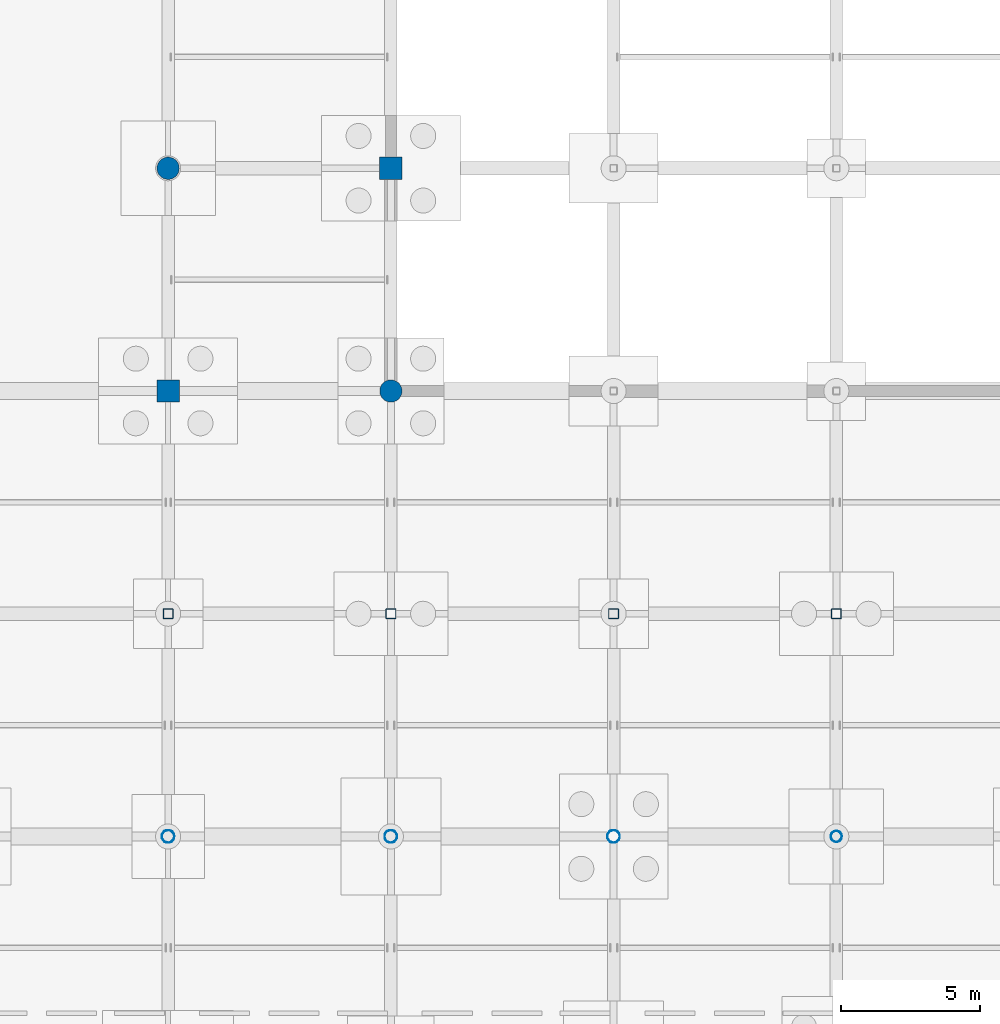
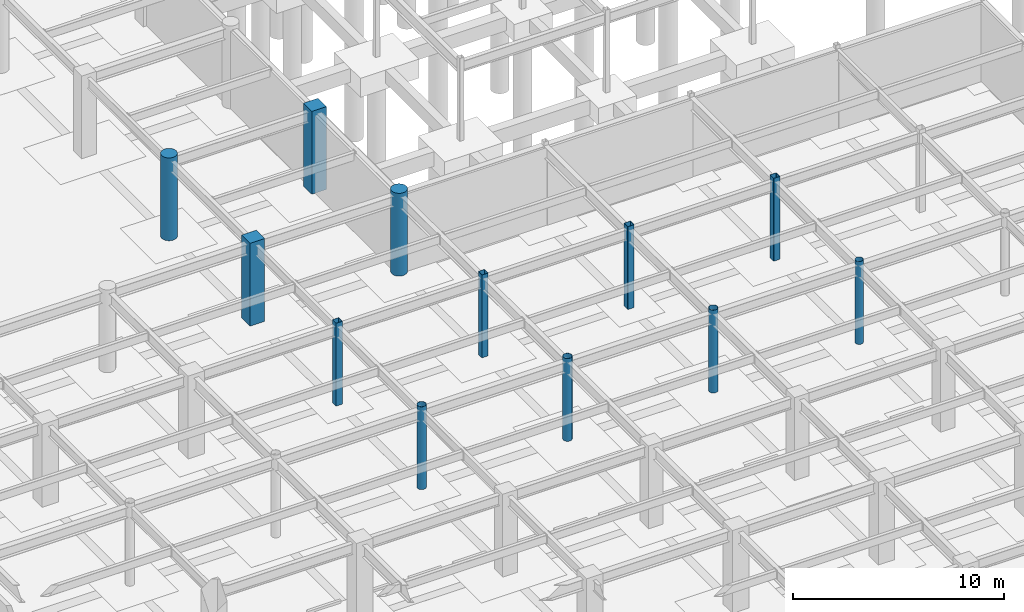
# One storey, part 23 of 105: 12 columns.
"""IFC4 building model written with IfcOpenShell, lengths in metres."""

from ifc_helpers import new_model, si_unit, direction, frame, origin, origin_2d, place, context, subcontext, project, spatial, rectangle, hollow_rectangle, circle, hollow_circle, extrude, material, material_profile, profile_set, type_object, element, save


model = new_model("IFC4")

# Units and contexts
model_context = context("Model", 3, precision=1e-05, world=origin(), true_north=direction((0.0, 1.0)))
body_context = subcontext(model_context, "Body", "Model", "MODEL_VIEW")
ifc_project = project(units=[si_unit("LENGTHUNIT", "METRE"), si_unit("AREAUNIT", "SQUARE_METRE"), si_unit("VOLUMEUNIT", "CUBIC_METRE"), si_unit("PLANEANGLEUNIT", "RADIAN"), si_unit("MASSUNIT", "GRAM", prefix="KILO")], contexts=[model_context])

# Site, building, storey
site_placement = place(None, origin())
site = spatial("IfcSite", under=ifc_project, at=site_placement, CompositionType="ELEMENT")
building_placement = place(site_placement, origin())
building = spatial("IfcBuilding", under=site, at=building_placement, Name="Solmirada Galleria", CompositionType="ELEMENT")
storey_placement = place(building_placement, frame((0.0, 0.0, -4.800048828125)))
storey = spatial("IfcBuildingStorey", under=building, at=storey_placement, Name="B1", CompositionType="ELEMENT", Elevation=-4.800048828125)

# Columns
ifc_material_1 = material(Name="Steel S355 / ASTM A500 Grade C", Category="steel")
ifc_material_profile_1 = material_profile(ifc_material_1, hollow_circle(Radius=0.202880859375, WallThickness=0.01171875, at=origin_2d()), Name="HSS16.000X0.500")
ifc_profile_set_1 = profile_set([ifc_material_profile_1], Name="Steel S355 / ASTM A500 Grade C")
column_type_1 = type_object("IfcColumnType", Name="COL-CHS16", PredefinedType="COLUMN", material=ifc_profile_set_1)
column_placement = place(storey_placement, frame((128.0, 32.0, 0.0), z_axis=(0.0, 0.0, 1.0), x_axis=(1.0, 0.0, 0.0)))
element("IfcColumn", 1, at=column_placement, inside=storey, type_object=column_type_1, Name="Structural column B1-1034", PredefinedType="COLUMN", context=body_context, shape_type="SweptSolid", body=[
    extrude(hollow_circle(Radius=0.202880859375, WallThickness=0.01171875, at=origin_2d()), origin(), (0.0, 0.0, 1.0), 4.800048828125),
])
ifc_material_profile_2 = material_profile(ifc_material_1, hollow_circle(Radius=0.228515625, WallThickness=0.01171875, at=origin_2d()), Name="HSS18.000X0.500")
ifc_profile_set_2 = profile_set([ifc_material_profile_2], Name="Steel S355 / ASTM A500 Grade C")
column_type_2 = type_object("IfcColumnType", Name="COL-CHS18", PredefinedType="COLUMN", material=ifc_profile_set_2)
for number, where, z_axis, x_axis, name in (
    (2, (104.0, 32.0, 0.0), (0.0, 0.0, 1.0), (1.0, 0.0, 0.0), "Structural column B1-0723"),
    (3, (112.0, 32.0, 0.0), (0.0, 0.0, 1.0), (1.0, 0.0, 0.0), "Structural column B1-0834"),
    (4, (120.0, 32.0, 0.0), (0.0, 0.0, 1.0), (1.0, 0.0, 0.0), "Structural column B1-0951"),
):
    element("IfcColumn", number, at=place(storey_placement, frame(where, z_axis=z_axis, x_axis=x_axis)), inside=storey, type_object=column_type_2, Name=name, PredefinedType="COLUMN", context=body_context, shape_type="SweptSolid", body=[
        extrude(hollow_circle(Radius=0.228515625, WallThickness=0.01171875, at=origin_2d()), origin(), (0.0, 0.0, 1.0), 4.800048828125),
    ])
ifc_material_2 = material(Name="Concrete C40/50", Category="concrete")
ifc_material_profile_3 = material_profile(ifc_material_2, circle(Radius=0.39990234375, at=origin_2d()), Name="RCCOL800")
ifc_profile_set_3 = profile_set([ifc_material_profile_3], Name="Concrete C40/50")
column_type_3 = type_object("IfcColumnType", Name="COL-CIR800", PredefinedType="COLUMN", material=ifc_profile_set_3)
for number, where, z_axis, x_axis, name in (
    (5, (104.0, 56.0, 0.0), (0.0, 0.0, 1.0), (1.0, 0.0, 0.0), "Structural column B1-0742"),
    (6, (112.0, 48.0, 0.0), (0.0, 0.0, 1.0), (1.0, 0.0, 0.0), "Structural column B1-0845"),
):
    element("IfcColumn", number, at=place(storey_placement, frame(where, z_axis=z_axis, x_axis=x_axis)), inside=storey, type_object=column_type_3, Name=name, PredefinedType="COLUMN", context=body_context, shape_type="SweptSolid", body=[
        extrude(circle(Radius=0.39990234375, at=origin_2d()), origin(), (0.0, 0.0, 1.0), 4.800048828125),
    ])
ifc_material_profile_4 = material_profile(ifc_material_1, hollow_rectangle(XDim=0.35595703125, YDim=0.35595703125, WallThickness=0.01171875, InnerFilletRadius=0.01171875, OuterFilletRadius=0.023681640625, at=origin_2d()), Name="HSS14X14X1/2")
ifc_profile_set_4 = profile_set([ifc_material_profile_4], Name="Steel S355 / ASTM A500 Grade C")
column_type_4 = type_object("IfcColumnType", Name="COL-HSS14", PredefinedType="COLUMN", material=ifc_profile_set_4)
for number, where, z_axis, x_axis, name in (
    (7, (104.0, 40.0, 0.0), (0.0, 0.0, 1.0), (1.0, 0.0, 0.0), "Structural column B1-0729"),
    (8, (112.0, 40.0, 0.0), (0.0, 0.0, 1.0), (1.0, 0.0, 0.0), "Structural column B1-0841"),
    (9, (120.0, 40.0, 0.0), (0.0, 0.0, 1.0), (1.0, 0.0, 0.0), "Structural column B1-0958"),
    (10, (128.0, 40.0, 0.0), (0.0, 0.0, 1.0), (1.0, 0.0, 0.0), "Structural column B1-1041"),
):
    element("IfcColumn", number, at=place(storey_placement, frame(where, z_axis=z_axis, x_axis=x_axis)), inside=storey, type_object=column_type_4, Name=name, PredefinedType="COLUMN", context=body_context, shape_type="SweptSolid", body=[
        extrude(hollow_rectangle(XDim=0.35595703125, YDim=0.35595703125, WallThickness=0.01171875, InnerFilletRadius=0.01171875, OuterFilletRadius=0.023681640625, at=origin_2d()), origin(), (0.0, 0.0, 1.0), 4.800048828125),
    ])
ifc_material_profile_5 = material_profile(ifc_material_2, rectangle(XDim=0.800048828125, YDim=0.800048828125, at=origin_2d()), Name="RC800X800")
ifc_profile_set_5 = profile_set([ifc_material_profile_5], Name="Concrete C40/50")
column_type_5 = type_object("IfcColumnType", Name="COL-RC800", PredefinedType="COLUMN", material=ifc_profile_set_5)
for number, where, z_axis, x_axis, name in (
    (11, (104.0, 48.0, 0.0), (0.0, 0.0, 1.0), (1.0, 0.0, 0.0), "Structural column B1-0733"),
    (12, (112.0, 56.0, 0.0), (0.0, 0.0, 1.0), (1.0, 0.0, 0.0), "Structural column B1-0854"),
):
    element("IfcColumn", number, at=place(storey_placement, frame(where, z_axis=z_axis, x_axis=x_axis)), inside=storey, type_object=column_type_5, Name=name, PredefinedType="COLUMN", context=body_context, shape_type="SweptSolid", body=[
        extrude(rectangle(XDim=0.800048828125, YDim=0.800048828125, at=origin_2d()), origin(), (0.0, 0.0, 1.0), 4.800048828125),
    ])

save(model, "model.ifc")
